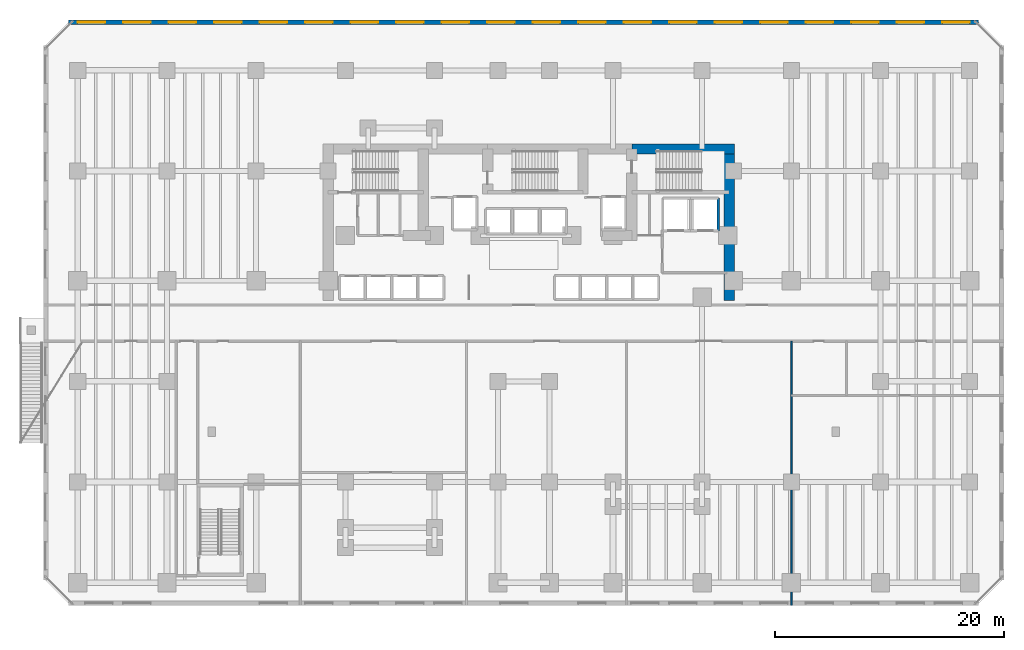
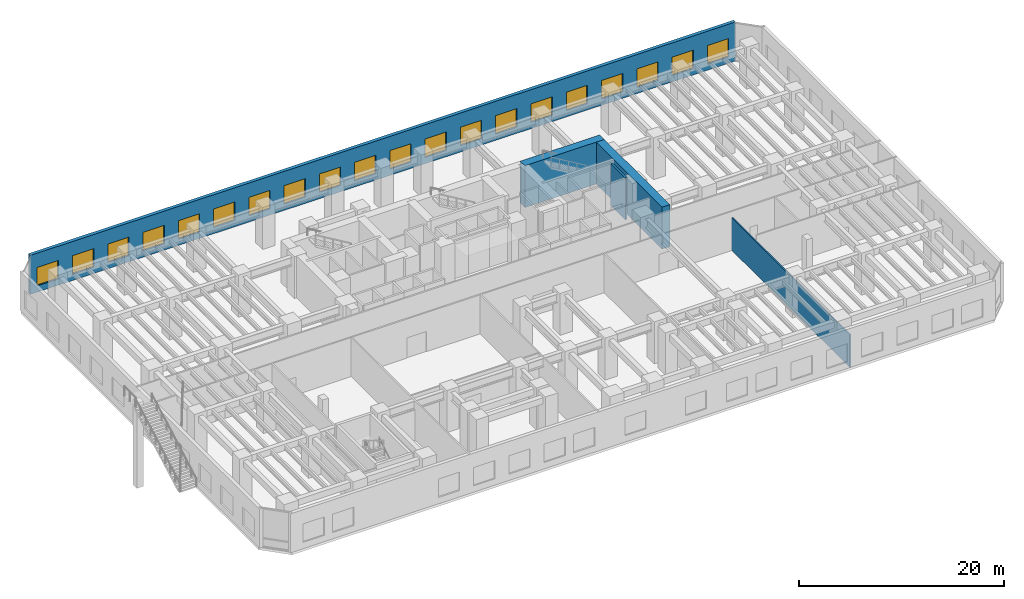
# One storey, part 15 of 19: 20 windows, 5 walls, 20 openings.
"""IFC4 building model written with IfcOpenShell, lengths in metres."""

from ifc_helpers import new_model, si_unit, direction, frame, frame_2d, origin, place, context, subcontext, project, spatial, rectangle, extrude, material, layer, layer_set, type_object, element, fill, save


model = new_model("IFC4")

# Units and contexts
model_context = context("Model", 3, precision=1e-05, world=origin(), true_north=direction((0.0, 1.0)))
body_context = subcontext(model_context, "Body", "Model", "MODEL_VIEW")
ifc_project = project(units=[si_unit("LENGTHUNIT", "METRE"), si_unit("AREAUNIT", "SQUARE_METRE"), si_unit("VOLUMEUNIT", "CUBIC_METRE"), si_unit("PLANEANGLEUNIT", "RADIAN"), si_unit("MASSUNIT", "GRAM", prefix="KILO")], contexts=[model_context])

# Site, building, storey
site_placement = place(None, origin())
site = spatial("IfcSite", under=ifc_project, at=site_placement, CompositionType="ELEMENT")
building_placement = place(site_placement, origin())
building = spatial("IfcBuilding", under=site, at=building_placement, Name="Kestravale Grand Hotel", CompositionType="ELEMENT")
storey_placement = place(building_placement, frame((0.0, 0.0, 5.39990234375)))
storey = spatial("IfcBuildingStorey", under=building, at=storey_placement, Name="L01", CompositionType="ELEMENT", Elevation=5.39990234375)

# Walls
ifc_material_1 = material(Name="Concrete f'c 70 MPa", Category="concrete")
ifc_layer_1 = layer(ifc_material_1, 0.89990234375)
ifc_layer_set_1 = layer_set([ifc_layer_1], Name="EW-CORE-900")
wall_type_1 = type_object("IfcWallType", Name="EW-CORE-900", PredefinedType="SHEAR", material=ifc_layer_set_1)
wall_1_placement = place(storey_placement, frame((48.449951171875, 40.320068359375, 0.0), z_axis=(0.0, 0.0, 1.0), x_axis=(1.0, 0.0, 0.0)))
element("IfcWall", 1, at=wall_1_placement, inside=storey, type_object=wall_type_1, Name="L01 core shear wall N3", PredefinedType="SHEAR", context=body_context, shape_type="SweptSolid", body=[
    extrude(rectangle(XDim=8.969970703125, YDim=0.89990234375, at=frame_2d((4.48486328125, 0.0))), origin(), (0.0, 0.0, 1.0), 5.0),
])
wall_2_placement = place(storey_placement, frame((56.969970703125, 27.050048828125, 0.0), z_axis=(0.0, 0.0, 1.0), x_axis=(0.0, 1.0, 0.0)))
element("IfcWall", 2, at=wall_2_placement, inside=storey, type_object=wall_type_1, Name="L01 core shear wall E1", PredefinedType="SHEAR", context=body_context, shape_type="SweptSolid", body=[
    extrude(rectangle(XDim=13.719970703125, YDim=0.89990234375, at=frame_2d((6.85986328125, 0.0))), origin(), (0.0, 0.0, 1.0), 5.0),
])

# Wall, openings, windows
ifc_material_2 = material(Name="Precast concrete f'c 45 MPa", Category="concrete")
ifc_layer_2 = layer(ifc_material_2, 0.3798828125)
ifc_layer_set_2 = layer_set([ifc_layer_2], Name="EW-POD-380")
wall_type_2 = type_object("IfcWallType", Name="EW-POD-380", PredefinedType="SOLIDWALL", material=ifc_layer_set_2)
wall_3_placement = place(storey_placement, frame((78.7900390625, 51.409912109375, 0.0), z_axis=(0.0, 0.0, 1.0), x_axis=(-1.0, 0.0, 0.0)))
wall_3 = element("IfcWall", 3, at=wall_3_placement, inside=storey, type_object=wall_type_2, Name="L01 fluted precast facade wall 5", PredefinedType="SOLIDWALL", context=body_context, shape_type="SweptSolid", body=[
    extrude(rectangle(XDim=79.580078125, YDim=0.3798828125, at=frame_2d((39.7900390625, 0.0))), origin(), (0.0, 0.0, 1.0), 4.650146484375),
])
opening_1_placement = place(wall_3_placement, frame((0.78955078125, 0.0, 0.75)))
opening_1 = element("IfcOpeningElement", 4, at=opening_1_placement, cuts=wall_3, Name="Opening W-POD-2400", PredefinedType="OPENING", context=body_context, shape_type="SweptSolid", body=[
    extrude(rectangle(XDim=2.39990234375, YDim=2.199951171875, at=frame_2d((1.199951171875, 1.10009765625))), frame((0.0, 0.199951171875, 0.0), z_axis=(0.0, -1.0, 0.0), x_axis=(1.0, 0.0, 0.0)), (0.0, 0.0, 1.0), 0.39990234375),
])
opening_2_placement = place(wall_3_placement, frame((4.7685546875, 0.0, 0.75)))
opening_2 = element("IfcOpeningElement", 5, at=opening_2_placement, cuts=wall_3, Name="Opening W-POD-2400", PredefinedType="OPENING", context=body_context, shape_type="SweptSolid", body=[
    extrude(rectangle(XDim=2.39990234375, YDim=2.199951171875, at=frame_2d((1.199951171875, 1.10009765625))), frame((0.0, 0.199951171875, 0.0), z_axis=(0.0, -1.0, 0.0), x_axis=(1.0, 0.0, 0.0)), (0.0, 0.0, 1.0), 0.39990234375),
])
opening_3_placement = place(wall_3_placement, frame((8.74755859375, 0.0, 0.75)))
opening_3 = element("IfcOpeningElement", 6, at=opening_3_placement, cuts=wall_3, Name="Opening W-POD-2400", PredefinedType="OPENING", context=body_context, shape_type="SweptSolid", body=[
    extrude(rectangle(XDim=2.39990234375, YDim=2.199951171875, at=frame_2d((1.199951171875, 1.10009765625))), frame((0.0, 0.199951171875, 0.0), z_axis=(0.0, -1.0, 0.0), x_axis=(1.0, 0.0, 0.0)), (0.0, 0.0, 1.0), 0.39990234375),
])
opening_4_placement = place(wall_3_placement, frame((12.7265625, 0.0, 0.75)))
opening_4 = element("IfcOpeningElement", 7, at=opening_4_placement, cuts=wall_3, Name="Opening W-POD-2400", PredefinedType="OPENING", context=body_context, shape_type="SweptSolid", body=[
    extrude(rectangle(XDim=2.39990234375, YDim=2.199951171875, at=frame_2d((1.199951171875, 1.10009765625))), frame((0.0, 0.199951171875, 0.0), z_axis=(0.0, -1.0, 0.0), x_axis=(1.0, 0.0, 0.0)), (0.0, 0.0, 1.0), 0.39990234375),
])
opening_5_placement = place(wall_3_placement, frame((16.70556640625, 0.0, 0.75)))
opening_5 = element("IfcOpeningElement", 8, at=opening_5_placement, cuts=wall_3, Name="Opening W-POD-2400", PredefinedType="OPENING", context=body_context, shape_type="SweptSolid", body=[
    extrude(rectangle(XDim=2.39990234375, YDim=2.199951171875, at=frame_2d((1.199951171875, 1.10009765625))), frame((0.0, 0.199951171875, 0.0), z_axis=(0.0, -1.0, 0.0), x_axis=(1.0, 0.0, 0.0)), (0.0, 0.0, 1.0), 0.39990234375),
])
opening_6_placement = place(wall_3_placement, frame((20.6845703125, 0.0, 0.75)))
opening_6 = element("IfcOpeningElement", 9, at=opening_6_placement, cuts=wall_3, Name="Opening W-POD-2400", PredefinedType="OPENING", context=body_context, shape_type="SweptSolid", body=[
    extrude(rectangle(XDim=2.39990234375, YDim=2.199951171875, at=frame_2d((1.199951171875, 1.10009765625))), frame((0.0, 0.199951171875, 0.0), z_axis=(0.0, -1.0, 0.0), x_axis=(1.0, 0.0, 0.0)), (0.0, 0.0, 1.0), 0.39990234375),
])
opening_7_placement = place(wall_3_placement, frame((24.66357421875, 0.0, 0.75)))
opening_7 = element("IfcOpeningElement", 10, at=opening_7_placement, cuts=wall_3, Name="Opening W-POD-2400", PredefinedType="OPENING", context=body_context, shape_type="SweptSolid", body=[
    extrude(rectangle(XDim=2.39990234375, YDim=2.199951171875, at=frame_2d((1.199951171875, 1.10009765625))), frame((0.0, 0.199951171875, 0.0), z_axis=(0.0, -1.0, 0.0), x_axis=(1.0, 0.0, 0.0)), (0.0, 0.0, 1.0), 0.39990234375),
])
opening_8_placement = place(wall_3_placement, frame((28.642578125, 0.0, 0.75)))
opening_8 = element("IfcOpeningElement", 11, at=opening_8_placement, cuts=wall_3, Name="Opening W-POD-2400", PredefinedType="OPENING", context=body_context, shape_type="SweptSolid", body=[
    extrude(rectangle(XDim=2.39990234375, YDim=2.199951171875, at=frame_2d((1.199951171875, 1.10009765625))), frame((0.0, 0.199951171875, 0.0), z_axis=(0.0, -1.0, 0.0), x_axis=(1.0, 0.0, 0.0)), (0.0, 0.0, 1.0), 0.39990234375),
])
opening_9_placement = place(wall_3_placement, frame((32.62158203125, 0.0, 0.75)))
opening_9 = element("IfcOpeningElement", 12, at=opening_9_placement, cuts=wall_3, Name="Opening W-POD-2400", PredefinedType="OPENING", context=body_context, shape_type="SweptSolid", body=[
    extrude(rectangle(XDim=2.39990234375, YDim=2.199951171875, at=frame_2d((1.199951171875, 1.10009765625))), frame((0.0, 0.199951171875, 0.0), z_axis=(0.0, -1.0, 0.0), x_axis=(1.0, 0.0, 0.0)), (0.0, 0.0, 1.0), 0.39990234375),
])
opening_10_placement = place(wall_3_placement, frame((36.6005859375, 0.0, 0.75)))
opening_10 = element("IfcOpeningElement", 13, at=opening_10_placement, cuts=wall_3, Name="Opening W-POD-2400", PredefinedType="OPENING", context=body_context, shape_type="SweptSolid", body=[
    extrude(rectangle(XDim=2.39990234375, YDim=2.199951171875, at=frame_2d((1.199951171875, 1.10009765625))), frame((0.0, 0.199951171875, 0.0), z_axis=(0.0, -1.0, 0.0), x_axis=(1.0, 0.0, 0.0)), (0.0, 0.0, 1.0), 0.39990234375),
])
opening_11_placement = place(wall_3_placement, frame((40.57958984375, 0.0, 0.75)))
opening_11 = element("IfcOpeningElement", 14, at=opening_11_placement, cuts=wall_3, Name="Opening W-POD-2400", PredefinedType="OPENING", context=body_context, shape_type="SweptSolid", body=[
    extrude(rectangle(XDim=2.39990234375, YDim=2.199951171875, at=frame_2d((1.199951171875, 1.10009765625))), frame((0.0, 0.199951171875, 0.0), z_axis=(0.0, -1.0, 0.0), x_axis=(1.0, 0.0, 0.0)), (0.0, 0.0, 1.0), 0.39990234375),
])
opening_12_placement = place(wall_3_placement, frame((44.55859375, 0.0, 0.75)))
opening_12 = element("IfcOpeningElement", 15, at=opening_12_placement, cuts=wall_3, Name="Opening W-POD-2400", PredefinedType="OPENING", context=body_context, shape_type="SweptSolid", body=[
    extrude(rectangle(XDim=2.39990234375, YDim=2.199951171875, at=frame_2d((1.199951171875, 1.10009765625))), frame((0.0, 0.199951171875, 0.0), z_axis=(0.0, -1.0, 0.0), x_axis=(1.0, 0.0, 0.0)), (0.0, 0.0, 1.0), 0.39990234375),
])
opening_13_placement = place(wall_3_placement, frame((48.53759765625, 0.0, 0.75)))
opening_13 = element("IfcOpeningElement", 16, at=opening_13_placement, cuts=wall_3, Name="Opening W-POD-2400", PredefinedType="OPENING", context=body_context, shape_type="SweptSolid", body=[
    extrude(rectangle(XDim=2.39990234375, YDim=2.199951171875, at=frame_2d((1.199951171875, 1.10009765625))), frame((0.0, 0.199951171875, 0.0), z_axis=(0.0, -1.0, 0.0), x_axis=(1.0, 0.0, 0.0)), (0.0, 0.0, 1.0), 0.39990234375),
])
opening_14_placement = place(wall_3_placement, frame((52.5166015625, 0.0, 0.75)))
opening_14 = element("IfcOpeningElement", 17, at=opening_14_placement, cuts=wall_3, Name="Opening W-POD-2400", PredefinedType="OPENING", context=body_context, shape_type="SweptSolid", body=[
    extrude(rectangle(XDim=2.39990234375, YDim=2.199951171875, at=frame_2d((1.199951171875, 1.10009765625))), frame((0.0, 0.199951171875, 0.0), z_axis=(0.0, -1.0, 0.0), x_axis=(1.0, 0.0, 0.0)), (0.0, 0.0, 1.0), 0.39990234375),
])
opening_15_placement = place(wall_3_placement, frame((56.49560546875, 0.0, 0.75)))
opening_15 = element("IfcOpeningElement", 18, at=opening_15_placement, cuts=wall_3, Name="Opening W-POD-2400", PredefinedType="OPENING", context=body_context, shape_type="SweptSolid", body=[
    extrude(rectangle(XDim=2.39990234375, YDim=2.199951171875, at=frame_2d((1.199951171875, 1.10009765625))), frame((0.0, 0.199951171875, 0.0), z_axis=(0.0, -1.0, 0.0), x_axis=(1.0, 0.0, 0.0)), (0.0, 0.0, 1.0), 0.39990234375),
])
opening_16_placement = place(wall_3_placement, frame((60.474609375, 0.0, 0.75)))
opening_16 = element("IfcOpeningElement", 19, at=opening_16_placement, cuts=wall_3, Name="Opening W-POD-2400", PredefinedType="OPENING", context=body_context, shape_type="SweptSolid", body=[
    extrude(rectangle(XDim=2.39990234375, YDim=2.199951171875, at=frame_2d((1.199951171875, 1.10009765625))), frame((0.0, 0.199951171875, 0.0), z_axis=(0.0, -1.0, 0.0), x_axis=(1.0, 0.0, 0.0)), (0.0, 0.0, 1.0), 0.39990234375),
])
opening_17_placement = place(wall_3_placement, frame((64.45361328125, 0.0, 0.75)))
opening_17 = element("IfcOpeningElement", 20, at=opening_17_placement, cuts=wall_3, Name="Opening W-POD-2400", PredefinedType="OPENING", context=body_context, shape_type="SweptSolid", body=[
    extrude(rectangle(XDim=2.39990234375, YDim=2.199951171875, at=frame_2d((1.199951171875, 1.10009765625))), frame((0.0, 0.199951171875, 0.0), z_axis=(0.0, -1.0, 0.0), x_axis=(1.0, 0.0, 0.0)), (0.0, 0.0, 1.0), 0.39990234375),
])
opening_18_placement = place(wall_3_placement, frame((68.4326171875, 0.0, 0.75)))
opening_18 = element("IfcOpeningElement", 21, at=opening_18_placement, cuts=wall_3, Name="Opening W-POD-2400", PredefinedType="OPENING", context=body_context, shape_type="SweptSolid", body=[
    extrude(rectangle(XDim=2.39990234375, YDim=2.199951171875, at=frame_2d((1.199951171875, 1.10009765625))), frame((0.0, 0.199951171875, 0.0), z_axis=(0.0, -1.0, 0.0), x_axis=(1.0, 0.0, 0.0)), (0.0, 0.0, 1.0), 0.39990234375),
])
opening_19_placement = place(wall_3_placement, frame((72.41162109375, 0.0, 0.75)))
opening_19 = element("IfcOpeningElement", 22, at=opening_19_placement, cuts=wall_3, Name="Opening W-POD-2400", PredefinedType="OPENING", context=body_context, shape_type="SweptSolid", body=[
    extrude(rectangle(XDim=2.39990234375, YDim=2.199951171875, at=frame_2d((1.199951171875, 1.10009765625))), frame((0.0, 0.199951171875, 0.0), z_axis=(0.0, -1.0, 0.0), x_axis=(1.0, 0.0, 0.0)), (0.0, 0.0, 1.0), 0.39990234375),
])
opening_20_placement = place(wall_3_placement, frame((76.390380859375, 0.0, 0.75)))
opening_20 = element("IfcOpeningElement", 23, at=opening_20_placement, cuts=wall_3, Name="Opening W-POD-2400", PredefinedType="OPENING", context=body_context, shape_type="SweptSolid", body=[
    extrude(rectangle(XDim=2.39990234375, YDim=2.199951171875, at=frame_2d((1.199951171875, 1.10009765625))), frame((0.0, 0.199951171875, 0.0), z_axis=(0.0, -1.0, 0.0), x_axis=(1.0, 0.0, 0.0)), (0.0, 0.0, 1.0), 0.39990234375),
])
ifc_material_3 = material(Name="Insulated low-E double glazing in aluminium frame", Category="aluminium")
window_type = type_object("IfcWindowType", Name="W-POD-2400", PartitioningType="DOUBLE_PANEL_VERTICAL", PredefinedType="WINDOW", material=ifc_material_3)
window_1_placement = place(opening_1_placement, origin())
window_1 = element("IfcWindow", 24, at=window_1_placement, inside=storey, type_object=window_type, Name="L01 exterior window 5.1", OverallHeight=2.199951171875, OverallWidth=2.39990234375, PartitioningType="SINGLE_PANEL", PredefinedType="WINDOW", context=body_context, shape_type="SweptSolid", body=[
    extrude(rectangle(XDim=2.39990234375, YDim=2.199951171875, at=frame_2d((1.199951171875, 1.10009765625))), frame((0.0, 0.030029296875, 0.0), z_axis=(0.0, -1.0, 0.0), x_axis=(1.0, 0.0, 0.0)), (0.0, 0.0, 1.0), 0.06005859375),
])
fill(opening_1, window_1)
window_2_placement = place(opening_2_placement, origin())
window_2 = element("IfcWindow", 25, at=window_2_placement, inside=storey, type_object=window_type, Name="L01 exterior window 5.2", OverallHeight=2.199951171875, OverallWidth=2.39990234375, PartitioningType="SINGLE_PANEL", PredefinedType="WINDOW", context=body_context, shape_type="SweptSolid", body=[
    extrude(rectangle(XDim=2.39990234375, YDim=2.199951171875, at=frame_2d((1.199951171875, 1.10009765625))), frame((0.0, 0.030029296875, 0.0), z_axis=(0.0, -1.0, 0.0), x_axis=(1.0, 0.0, 0.0)), (0.0, 0.0, 1.0), 0.06005859375),
])
fill(opening_2, window_2)
window_3_placement = place(opening_3_placement, origin())
window_3 = element("IfcWindow", 26, at=window_3_placement, inside=storey, type_object=window_type, Name="L01 exterior window 5.3", OverallHeight=2.199951171875, OverallWidth=2.39990234375, PartitioningType="SINGLE_PANEL", PredefinedType="WINDOW", context=body_context, shape_type="SweptSolid", body=[
    extrude(rectangle(XDim=2.39990234375, YDim=2.199951171875, at=frame_2d((1.199951171875, 1.10009765625))), frame((0.0, 0.030029296875, 0.0), z_axis=(0.0, -1.0, 0.0), x_axis=(1.0, 0.0, 0.0)), (0.0, 0.0, 1.0), 0.06005859375),
])
fill(opening_3, window_3)
window_4_placement = place(opening_4_placement, origin())
window_4 = element("IfcWindow", 27, at=window_4_placement, inside=storey, type_object=window_type, Name="L01 exterior window 5.4", OverallHeight=2.199951171875, OverallWidth=2.39990234375, PartitioningType="SINGLE_PANEL", PredefinedType="WINDOW", context=body_context, shape_type="SweptSolid", body=[
    extrude(rectangle(XDim=2.39990234375, YDim=2.199951171875, at=frame_2d((1.199951171875, 1.10009765625))), frame((0.0, 0.030029296875, 0.0), z_axis=(0.0, -1.0, 0.0), x_axis=(1.0, 0.0, 0.0)), (0.0, 0.0, 1.0), 0.06005859375),
])
fill(opening_4, window_4)
window_5_placement = place(opening_5_placement, origin())
window_5 = element("IfcWindow", 28, at=window_5_placement, inside=storey, type_object=window_type, Name="L01 exterior window 5.5", OverallHeight=2.199951171875, OverallWidth=2.39990234375, PartitioningType="SINGLE_PANEL", PredefinedType="WINDOW", context=body_context, shape_type="SweptSolid", body=[
    extrude(rectangle(XDim=2.39990234375, YDim=2.199951171875, at=frame_2d((1.199951171875, 1.10009765625))), frame((0.0, 0.030029296875, 0.0), z_axis=(0.0, -1.0, 0.0), x_axis=(1.0, 0.0, 0.0)), (0.0, 0.0, 1.0), 0.06005859375),
])
fill(opening_5, window_5)
window_6_placement = place(opening_6_placement, origin())
window_6 = element("IfcWindow", 29, at=window_6_placement, inside=storey, type_object=window_type, Name="L01 exterior window 5.6", OverallHeight=2.199951171875, OverallWidth=2.39990234375, PartitioningType="SINGLE_PANEL", PredefinedType="WINDOW", context=body_context, shape_type="SweptSolid", body=[
    extrude(rectangle(XDim=2.39990234375, YDim=2.199951171875, at=frame_2d((1.199951171875, 1.10009765625))), frame((0.0, 0.030029296875, 0.0), z_axis=(0.0, -1.0, 0.0), x_axis=(1.0, 0.0, 0.0)), (0.0, 0.0, 1.0), 0.06005859375),
])
fill(opening_6, window_6)
window_7_placement = place(opening_7_placement, origin())
window_7 = element("IfcWindow", 30, at=window_7_placement, inside=storey, type_object=window_type, Name="L01 exterior window 5.7", OverallHeight=2.199951171875, OverallWidth=2.39990234375, PartitioningType="SINGLE_PANEL", PredefinedType="WINDOW", context=body_context, shape_type="SweptSolid", body=[
    extrude(rectangle(XDim=2.39990234375, YDim=2.199951171875, at=frame_2d((1.199951171875, 1.10009765625))), frame((0.0, 0.030029296875, 0.0), z_axis=(0.0, -1.0, 0.0), x_axis=(1.0, 0.0, 0.0)), (0.0, 0.0, 1.0), 0.06005859375),
])
fill(opening_7, window_7)
window_8_placement = place(opening_8_placement, origin())
window_8 = element("IfcWindow", 31, at=window_8_placement, inside=storey, type_object=window_type, Name="L01 exterior window 5.8", OverallHeight=2.199951171875, OverallWidth=2.39990234375, PartitioningType="SINGLE_PANEL", PredefinedType="WINDOW", context=body_context, shape_type="SweptSolid", body=[
    extrude(rectangle(XDim=2.39990234375, YDim=2.199951171875, at=frame_2d((1.199951171875, 1.10009765625))), frame((0.0, 0.030029296875, 0.0), z_axis=(0.0, -1.0, 0.0), x_axis=(1.0, 0.0, 0.0)), (0.0, 0.0, 1.0), 0.06005859375),
])
fill(opening_8, window_8)
window_9_placement = place(opening_9_placement, origin())
window_9 = element("IfcWindow", 32, at=window_9_placement, inside=storey, type_object=window_type, Name="L01 exterior window 5.9", OverallHeight=2.199951171875, OverallWidth=2.39990234375, PartitioningType="SINGLE_PANEL", PredefinedType="WINDOW", context=body_context, shape_type="SweptSolid", body=[
    extrude(rectangle(XDim=2.39990234375, YDim=2.199951171875, at=frame_2d((1.199951171875, 1.10009765625))), frame((0.0, 0.030029296875, 0.0), z_axis=(0.0, -1.0, 0.0), x_axis=(1.0, 0.0, 0.0)), (0.0, 0.0, 1.0), 0.06005859375),
])
fill(opening_9, window_9)
window_10_placement = place(opening_10_placement, origin())
window_10 = element("IfcWindow", 33, at=window_10_placement, inside=storey, type_object=window_type, Name="L01 exterior window 5.10", OverallHeight=2.199951171875, OverallWidth=2.39990234375, PartitioningType="SINGLE_PANEL", PredefinedType="WINDOW", context=body_context, shape_type="SweptSolid", body=[
    extrude(rectangle(XDim=2.39990234375, YDim=2.199951171875, at=frame_2d((1.199951171875, 1.10009765625))), frame((0.0, 0.030029296875, 0.0), z_axis=(0.0, -1.0, 0.0), x_axis=(1.0, 0.0, 0.0)), (0.0, 0.0, 1.0), 0.06005859375),
])
fill(opening_10, window_10)
window_11_placement = place(opening_11_placement, origin())
window_11 = element("IfcWindow", 34, at=window_11_placement, inside=storey, type_object=window_type, Name="L01 exterior window 5.11", OverallHeight=2.199951171875, OverallWidth=2.39990234375, PartitioningType="SINGLE_PANEL", PredefinedType="WINDOW", context=body_context, shape_type="SweptSolid", body=[
    extrude(rectangle(XDim=2.39990234375, YDim=2.199951171875, at=frame_2d((1.199951171875, 1.10009765625))), frame((0.0, 0.030029296875, 0.0), z_axis=(0.0, -1.0, 0.0), x_axis=(1.0, 0.0, 0.0)), (0.0, 0.0, 1.0), 0.06005859375),
])
fill(opening_11, window_11)
window_12_placement = place(opening_12_placement, origin())
window_12 = element("IfcWindow", 35, at=window_12_placement, inside=storey, type_object=window_type, Name="L01 exterior window 5.12", OverallHeight=2.199951171875, OverallWidth=2.39990234375, PartitioningType="SINGLE_PANEL", PredefinedType="WINDOW", context=body_context, shape_type="SweptSolid", body=[
    extrude(rectangle(XDim=2.39990234375, YDim=2.199951171875, at=frame_2d((1.199951171875, 1.10009765625))), frame((0.0, 0.030029296875, 0.0), z_axis=(0.0, -1.0, 0.0), x_axis=(1.0, 0.0, 0.0)), (0.0, 0.0, 1.0), 0.06005859375),
])
fill(opening_12, window_12)
window_13_placement = place(opening_13_placement, origin())
window_13 = element("IfcWindow", 36, at=window_13_placement, inside=storey, type_object=window_type, Name="L01 exterior window 5.13", OverallHeight=2.199951171875, OverallWidth=2.39990234375, PartitioningType="SINGLE_PANEL", PredefinedType="WINDOW", context=body_context, shape_type="SweptSolid", body=[
    extrude(rectangle(XDim=2.39990234375, YDim=2.199951171875, at=frame_2d((1.199951171875, 1.10009765625))), frame((0.0, 0.030029296875, 0.0), z_axis=(0.0, -1.0, 0.0), x_axis=(1.0, 0.0, 0.0)), (0.0, 0.0, 1.0), 0.06005859375),
])
fill(opening_13, window_13)
window_14_placement = place(opening_14_placement, origin())
window_14 = element("IfcWindow", 37, at=window_14_placement, inside=storey, type_object=window_type, Name="L01 exterior window 5.14", OverallHeight=2.199951171875, OverallWidth=2.39990234375, PartitioningType="SINGLE_PANEL", PredefinedType="WINDOW", context=body_context, shape_type="SweptSolid", body=[
    extrude(rectangle(XDim=2.39990234375, YDim=2.199951171875, at=frame_2d((1.199951171875, 1.10009765625))), frame((0.0, 0.030029296875, 0.0), z_axis=(0.0, -1.0, 0.0), x_axis=(1.0, 0.0, 0.0)), (0.0, 0.0, 1.0), 0.06005859375),
])
fill(opening_14, window_14)
window_15_placement = place(opening_15_placement, origin())
window_15 = element("IfcWindow", 38, at=window_15_placement, inside=storey, type_object=window_type, Name="L01 exterior window 5.15", OverallHeight=2.199951171875, OverallWidth=2.39990234375, PartitioningType="SINGLE_PANEL", PredefinedType="WINDOW", context=body_context, shape_type="SweptSolid", body=[
    extrude(rectangle(XDim=2.39990234375, YDim=2.199951171875, at=frame_2d((1.199951171875, 1.10009765625))), frame((0.0, 0.030029296875, 0.0), z_axis=(0.0, -1.0, 0.0), x_axis=(1.0, 0.0, 0.0)), (0.0, 0.0, 1.0), 0.06005859375),
])
fill(opening_15, window_15)
window_16_placement = place(opening_16_placement, origin())
window_16 = element("IfcWindow", 39, at=window_16_placement, inside=storey, type_object=window_type, Name="L01 exterior window 5.16", OverallHeight=2.199951171875, OverallWidth=2.39990234375, PartitioningType="SINGLE_PANEL", PredefinedType="WINDOW", context=body_context, shape_type="SweptSolid", body=[
    extrude(rectangle(XDim=2.39990234375, YDim=2.199951171875, at=frame_2d((1.199951171875, 1.10009765625))), frame((0.0, 0.030029296875, 0.0), z_axis=(0.0, -1.0, 0.0), x_axis=(1.0, 0.0, 0.0)), (0.0, 0.0, 1.0), 0.06005859375),
])
fill(opening_16, window_16)
window_17_placement = place(opening_17_placement, origin())
window_17 = element("IfcWindow", 40, at=window_17_placement, inside=storey, type_object=window_type, Name="L01 exterior window 5.17", OverallHeight=2.199951171875, OverallWidth=2.39990234375, PartitioningType="SINGLE_PANEL", PredefinedType="WINDOW", context=body_context, shape_type="SweptSolid", body=[
    extrude(rectangle(XDim=2.39990234375, YDim=2.199951171875, at=frame_2d((1.199951171875, 1.10009765625))), frame((0.0, 0.030029296875, 0.0), z_axis=(0.0, -1.0, 0.0), x_axis=(1.0, 0.0, 0.0)), (0.0, 0.0, 1.0), 0.06005859375),
])
fill(opening_17, window_17)
window_18_placement = place(opening_18_placement, origin())
window_18 = element("IfcWindow", 41, at=window_18_placement, inside=storey, type_object=window_type, Name="L01 exterior window 5.18", OverallHeight=2.199951171875, OverallWidth=2.39990234375, PartitioningType="SINGLE_PANEL", PredefinedType="WINDOW", context=body_context, shape_type="SweptSolid", body=[
    extrude(rectangle(XDim=2.39990234375, YDim=2.199951171875, at=frame_2d((1.199951171875, 1.10009765625))), frame((0.0, 0.030029296875, 0.0), z_axis=(0.0, -1.0, 0.0), x_axis=(1.0, 0.0, 0.0)), (0.0, 0.0, 1.0), 0.06005859375),
])
fill(opening_18, window_18)
window_19_placement = place(opening_19_placement, origin())
window_19 = element("IfcWindow", 42, at=window_19_placement, inside=storey, type_object=window_type, Name="L01 exterior window 5.19", OverallHeight=2.199951171875, OverallWidth=2.39990234375, PartitioningType="SINGLE_PANEL", PredefinedType="WINDOW", context=body_context, shape_type="SweptSolid", body=[
    extrude(rectangle(XDim=2.39990234375, YDim=2.199951171875, at=frame_2d((1.199951171875, 1.10009765625))), frame((0.0, 0.030029296875, 0.0), z_axis=(0.0, -1.0, 0.0), x_axis=(1.0, 0.0, 0.0)), (0.0, 0.0, 1.0), 0.06005859375),
])
fill(opening_19, window_19)
window_20_placement = place(opening_20_placement, origin())
window_20 = element("IfcWindow", 43, at=window_20_placement, inside=storey, type_object=window_type, Name="L01 exterior window 5.20", OverallHeight=2.199951171875, OverallWidth=2.39990234375, PartitioningType="SINGLE_PANEL", PredefinedType="WINDOW", context=body_context, shape_type="SweptSolid", body=[
    extrude(rectangle(XDim=2.39990234375, YDim=2.199951171875, at=frame_2d((1.199951171875, 1.10009765625))), frame((0.0, 0.030029296875, 0.0), z_axis=(0.0, -1.0, 0.0), x_axis=(1.0, 0.0, 0.0)), (0.0, 0.0, 1.0), 0.06005859375),
])
fill(opening_20, window_20)

# Walls
ifc_material_4 = material(Name="Moisture-resistant tile-backer plumbing chase wall", Category="other")
ifc_layer_3 = layer(ifc_material_4, 0.139892578125)
ifc_layer_set_3 = layer_set([ifc_layer_3], Name="IW-PLB-140")
wall_type_3 = type_object("IfcWallType", Name="IW-PLB-140", PredefinedType="PLUMBINGWALL", material=ifc_layer_set_3)
wall_4_placement = place(storey_placement, frame((62.39990234375, 0.419921875, 0.0), z_axis=(0.0, 0.0, 1.0), x_axis=(0.0, 1.0, 0.0)))
element("IfcWall", 44, at=wall_4_placement, inside=storey, type_object=wall_type_3, Name="W-L01-WCL", PredefinedType="PLUMBINGWALL", context=body_context, shape_type="SweptSolid", body=[
    extrude(rectangle(XDim=23.10009765625, YDim=0.139892578125, at=frame_2d((11.550048828125, 0.0))), origin(), (0.0, 0.0, 1.0), 3.900146484375),
])
ifc_material_5 = material(Name="Concrete f'c 45 MPa", Category="concrete")
ifc_layer_4 = layer(ifc_material_5, 0.199951171875)
ifc_layer_set_4 = layer_set([ifc_layer_4], Name="IW-SHAFT-200")
wall_type_4 = type_object("IfcWallType", Name="IW-SHAFT-200", PredefinedType="SHEAR", material=ifc_layer_set_4)
wall_5_placement = place(storey_placement, frame((56.02001953125, 33.169921875, 0.0), z_axis=(0.0, 0.0, 1.0), x_axis=(0.0, 1.0, 0.0)))
element("IfcWall", 45, at=wall_5_placement, inside=storey, type_object=wall_type_4, Name="L01 SL-2 east shaft wall", PredefinedType="SHEAR", context=body_context, shape_type="SweptSolid", body=[
    extrude(rectangle(XDim=2.860107421875, YDim=0.199951171875, at=frame_2d((1.43017578125, 0.0))), origin(), (0.0, 0.0, 1.0), 5.0),
])

save(model, "model.ifc")
